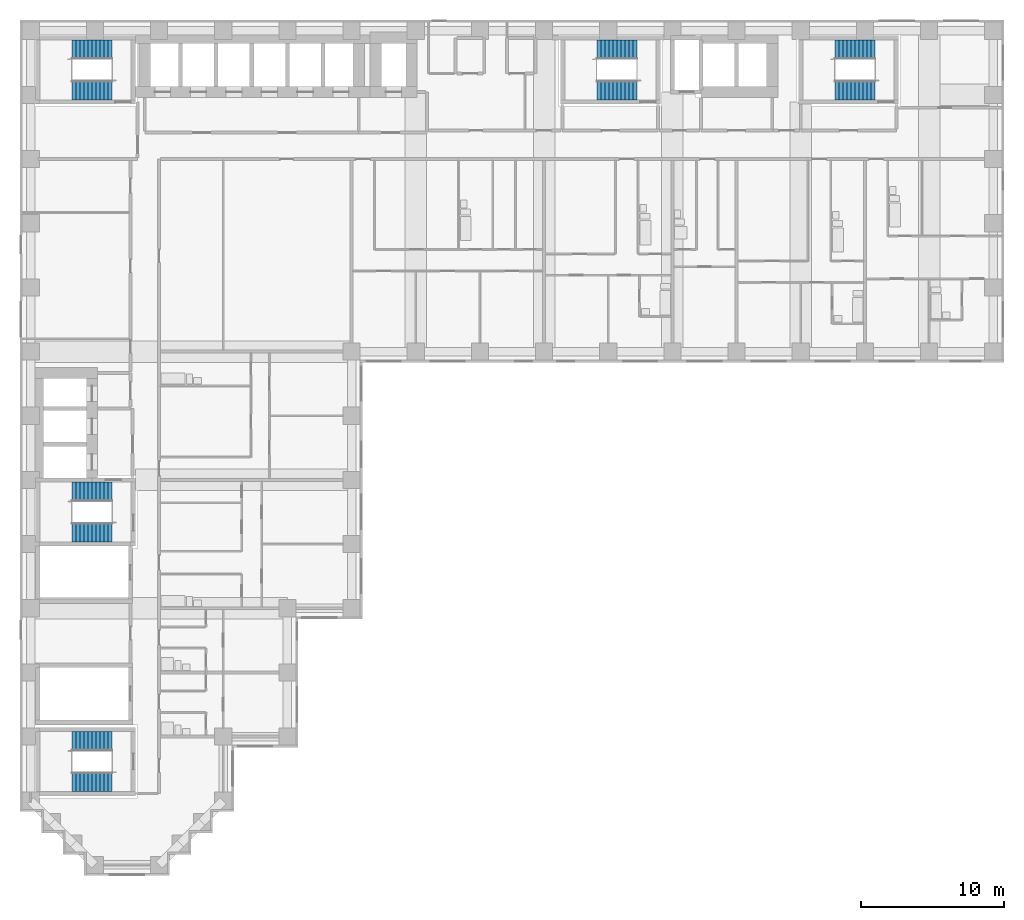
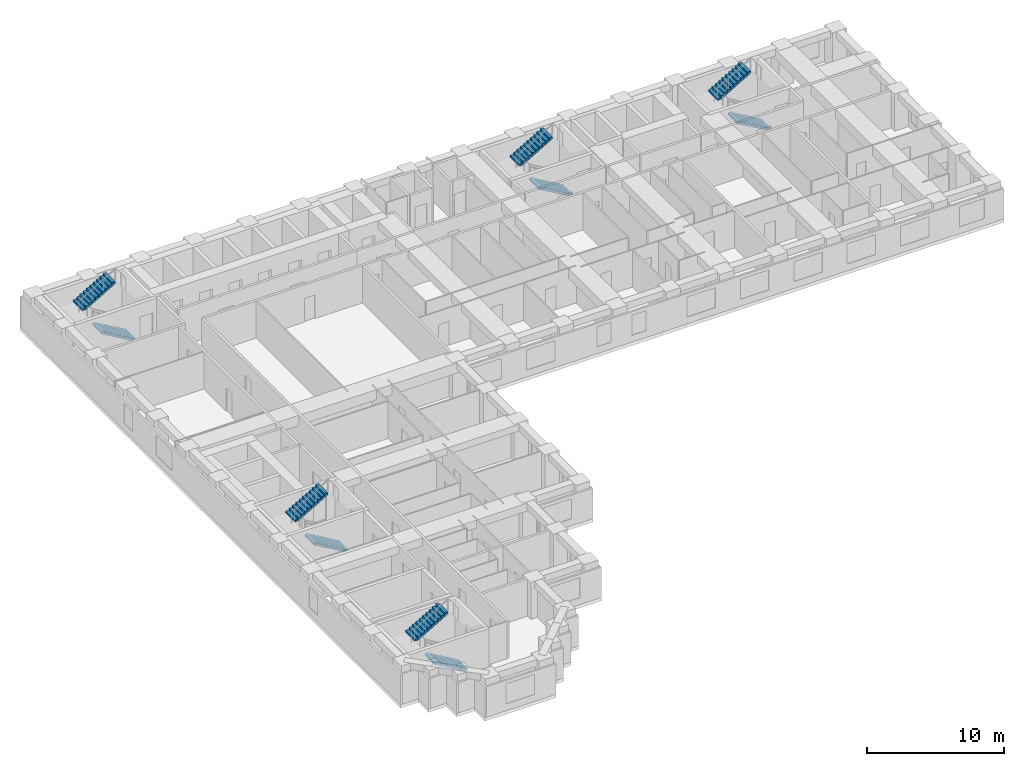
# One storey, part 10 of 12: 10 stair flights, 5 elements without a shape of their own.
"""IFC4 building model written with IfcOpenShell, lengths in metres."""

from ifc_helpers import new_model, si_unit, direction, frame, origin, place, context, subcontext, project, spatial, polyline, outline, extrude, material, type_object, element, aggregate, save


model = new_model("IFC4")

# Units and contexts
model_context = context("Model", 3, precision=1e-05, world=origin(), true_north=direction((0.0, 1.0)))
body_context = subcontext(model_context, "Body", "Model", "MODEL_VIEW")
ifc_project = project(units=[si_unit("LENGTHUNIT", "METRE"), si_unit("AREAUNIT", "SQUARE_METRE"), si_unit("VOLUMEUNIT", "CUBIC_METRE"), si_unit("PLANEANGLEUNIT", "RADIAN"), si_unit("MASSUNIT", "GRAM", prefix="KILO")], contexts=[model_context])

# Site, building, storey
site_placement = place(None, origin())
site = spatial("IfcSite", under=ifc_project, at=site_placement, CompositionType="ELEMENT")
building_placement = place(site_placement, origin())
building = spatial("IfcBuilding", under=site, at=building_placement, Name="Firuza Court", CompositionType="ELEMENT")
storey_placement = place(building_placement, frame((0.0, 0.0, 65.0)))
storey = spatial("IfcBuildingStorey", under=building, at=storey_placement, Name="L15", CompositionType="ELEMENT", Elevation=65.0)

# Stair, stair flights
ifc_material_1 = material(Name="Concrete C40/50 precast", Category="concrete")
stair_type = type_object("IfcStairType", Name="Stair 1350 x 3600 2 flights", PredefinedType="HALF_TURN_STAIR", material=ifc_material_1)
stair_1_placement = place(storey_placement, origin())
stair_1 = element("IfcStair", 1, at=stair_1_placement, inside=storey, type_object=stair_type, Name="Stair 1 L15", PredefinedType="HALF_TURN_STAIR")
ifc_material_2 = material(Name="Concrete C40/50 precast", Category="concrete")
stair_flight_type = type_object("IfcStairFlightType", Name="Flight 1350 riser 163.6", PredefinedType="STRAIGHT", material=ifc_material_2)
stair_flight_1_placement = place(storey_placement, frame((42.5, 54.324951171875, 0.0), z_axis=(0.0, 0.0, 1.0), x_axis=(-1.0, 0.0, 0.0)))
stair_flight_1 = element("IfcStairFlight", 2, at=stair_flight_1_placement, type_object=stair_flight_type, Name="S1 flight 1", NumberOfRisers=11, NumberOfTreads=10, PredefinedType="STRAIGHT", RiserHeight=0.163636364, TreadLength=0.28, context=body_context, shape_type="SweptSolid", body=[
    extrude(outline(polyline([(0.0, 0.0), (0.0, 0.16357421875), (0.280029296875, 0.16357421875), (0.280029296875, 0.327392578125), (0.56005859375, 0.327392578125), (0.56005859375, 0.490966796875), (0.840087890625, 0.490966796875), (0.840087890625, 0.654541015625), (1.1201171875, 0.654541015625), (1.1201171875, 0.818115234375), (1.39990234375, 0.818115234375), (1.39990234375, 0.98193359375), (1.679931640625, 0.98193359375), (1.679931640625, 1.1455078125), (1.9599609375, 1.1455078125), (1.9599609375, 1.30908203125), (2.239990234375, 1.30908203125), (2.239990234375, 1.47265625), (2.52001953125, 1.47265625), (2.52001953125, 1.636474609375), (2.800048828125, 1.636474609375), (2.800048828125, 1.800048828125), (2.800048828125, 1.462646484375), (0.297119140625, 0.0), (0.0, 0.0)])), frame((0.0, 0.675048828125, 0.0), z_axis=(0.0, -1.0, 0.0), x_axis=(1.0, 0.0, 0.0)), (0.0, 0.0, 1.0), 1.35009765625),
])
stair_flight_2_placement = place(storey_placement, frame((39.699951171875, 57.175048828125, 1.800048828125), z_axis=(0.0, 0.0, 1.0), x_axis=(1.0, 0.0, 0.0)))
stair_flight_2 = element("IfcStairFlight", 3, at=stair_flight_2_placement, type_object=stair_flight_type, Name="S1 flight 2", NumberOfRisers=11, NumberOfTreads=10, PredefinedType="STRAIGHT", RiserHeight=0.163636364, TreadLength=0.28, context=body_context, shape_type="SweptSolid", body=[
    extrude(outline(polyline([(0.0, 0.0), (0.0, 0.16357421875), (0.280029296875, 0.16357421875), (0.280029296875, 0.327392578125), (0.56005859375, 0.327392578125), (0.56005859375, 0.490966796875), (0.840087890625, 0.490966796875), (0.840087890625, 0.654541015625), (1.1201171875, 0.654541015625), (1.1201171875, 0.818115234375), (1.39990234375, 0.818115234375), (1.39990234375, 0.98193359375), (1.679931640625, 0.98193359375), (1.679931640625, 1.1455078125), (1.9599609375, 1.1455078125), (1.9599609375, 1.30908203125), (2.239990234375, 1.30908203125), (2.239990234375, 1.47265625), (2.52001953125, 1.47265625), (2.52001953125, 1.636474609375), (2.800048828125, 1.636474609375), (2.800048828125, 1.800048828125), (2.800048828125, 1.462646484375), (0.297119140625, 0.0), (0.0, 0.0)])), frame((0.0, 0.675048828125, 0.0), z_axis=(0.0, -1.0, 0.0), x_axis=(1.0, 0.0, 0.0)), (0.0, 0.0, 1.0), 1.35009765625),
])
aggregate(stair_1, [stair_flight_1, stair_flight_2])

stair_2_placement = place(storey_placement, origin())
stair_2 = element("IfcStair", 4, at=stair_2_placement, inside=storey, type_object=stair_type, Name="Stair 2 L15", PredefinedType="HALF_TURN_STAIR")
stair_flight_3_placement = place(storey_placement, frame((5.699951171875, 23.324951171875, 0.0), z_axis=(0.0, 0.0, 1.0), x_axis=(-1.0, 0.0, 0.0)))
stair_flight_3 = element("IfcStairFlight", 5, at=stair_flight_3_placement, type_object=stair_flight_type, Name="S2 flight 1", NumberOfRisers=11, NumberOfTreads=10, PredefinedType="STRAIGHT", RiserHeight=0.163636364, TreadLength=0.28, context=body_context, shape_type="SweptSolid", body=[
    extrude(outline(polyline([(0.0, 0.0), (0.0, 0.16357421875), (0.280029296875, 0.16357421875), (0.280029296875, 0.327392578125), (0.56005859375, 0.327392578125), (0.56005859375, 0.490966796875), (0.840087890625, 0.490966796875), (0.840087890625, 0.654541015625), (1.1201171875, 0.654541015625), (1.1201171875, 0.818115234375), (1.39990234375, 0.818115234375), (1.39990234375, 0.98193359375), (1.679931640625, 0.98193359375), (1.679931640625, 1.1455078125), (1.9599609375, 1.1455078125), (1.9599609375, 1.30908203125), (2.239990234375, 1.30908203125), (2.239990234375, 1.47265625), (2.52001953125, 1.47265625), (2.52001953125, 1.636474609375), (2.800048828125, 1.636474609375), (2.800048828125, 1.800048828125), (2.800048828125, 1.462646484375), (0.297119140625, 0.0), (0.0, 0.0)])), frame((0.0, 0.675048828125, 0.0), z_axis=(0.0, -1.0, 0.0), x_axis=(1.0, 0.0, 0.0)), (0.0, 0.0, 1.0), 1.35009765625),
])
stair_flight_4_placement = place(storey_placement, frame((2.89990234375, 26.175048828125, 1.800048828125), z_axis=(0.0, 0.0, 1.0), x_axis=(1.0, 0.0, 0.0)))
stair_flight_4 = element("IfcStairFlight", 6, at=stair_flight_4_placement, type_object=stair_flight_type, Name="S2 flight 2", NumberOfRisers=11, NumberOfTreads=10, PredefinedType="STRAIGHT", RiserHeight=0.163636364, TreadLength=0.28, context=body_context, shape_type="SweptSolid", body=[
    extrude(outline(polyline([(0.0, 0.0), (0.0, 0.16357421875), (0.280029296875, 0.16357421875), (0.280029296875, 0.327392578125), (0.56005859375, 0.327392578125), (0.56005859375, 0.490966796875), (0.840087890625, 0.490966796875), (0.840087890625, 0.654541015625), (1.1201171875, 0.654541015625), (1.1201171875, 0.818115234375), (1.39990234375, 0.818115234375), (1.39990234375, 0.98193359375), (1.679931640625, 0.98193359375), (1.679931640625, 1.1455078125), (1.9599609375, 1.1455078125), (1.9599609375, 1.30908203125), (2.239990234375, 1.30908203125), (2.239990234375, 1.47265625), (2.52001953125, 1.47265625), (2.52001953125, 1.636474609375), (2.800048828125, 1.636474609375), (2.800048828125, 1.800048828125), (2.800048828125, 1.462646484375), (0.297119140625, 0.0), (0.0, 0.0)])), frame((0.0, 0.675048828125, 0.0), z_axis=(0.0, -1.0, 0.0), x_axis=(1.0, 0.0, 0.0)), (0.0, 0.0, 1.0), 1.35009765625),
])
aggregate(stair_2, [stair_flight_3, stair_flight_4])

stair_3_placement = place(storey_placement, origin())
stair_3 = element("IfcStair", 7, at=stair_3_placement, inside=storey, type_object=stair_type, Name="Stair 3 L15", PredefinedType="HALF_TURN_STAIR")
stair_flight_5_placement = place(storey_placement, frame((5.699951171875, 54.324951171875, 0.0), z_axis=(0.0, 0.0, 1.0), x_axis=(-1.0, 0.0, 0.0)))
stair_flight_5 = element("IfcStairFlight", 8, at=stair_flight_5_placement, type_object=stair_flight_type, Name="S3 flight 1", NumberOfRisers=11, NumberOfTreads=10, PredefinedType="STRAIGHT", RiserHeight=0.163636364, TreadLength=0.28, context=body_context, shape_type="SweptSolid", body=[
    extrude(outline(polyline([(0.0, 0.0), (0.0, 0.16357421875), (0.280029296875, 0.16357421875), (0.280029296875, 0.327392578125), (0.56005859375, 0.327392578125), (0.56005859375, 0.490966796875), (0.840087890625, 0.490966796875), (0.840087890625, 0.654541015625), (1.1201171875, 0.654541015625), (1.1201171875, 0.818115234375), (1.39990234375, 0.818115234375), (1.39990234375, 0.98193359375), (1.679931640625, 0.98193359375), (1.679931640625, 1.1455078125), (1.9599609375, 1.1455078125), (1.9599609375, 1.30908203125), (2.239990234375, 1.30908203125), (2.239990234375, 1.47265625), (2.52001953125, 1.47265625), (2.52001953125, 1.636474609375), (2.800048828125, 1.636474609375), (2.800048828125, 1.800048828125), (2.800048828125, 1.462646484375), (0.297119140625, 0.0), (0.0, 0.0)])), frame((0.0, 0.675048828125, 0.0), z_axis=(0.0, -1.0, 0.0), x_axis=(1.0, 0.0, 0.0)), (0.0, 0.0, 1.0), 1.35009765625),
])
stair_flight_6_placement = place(storey_placement, frame((2.89990234375, 57.175048828125, 1.800048828125), z_axis=(0.0, 0.0, 1.0), x_axis=(1.0, 0.0, 0.0)))
stair_flight_6 = element("IfcStairFlight", 9, at=stair_flight_6_placement, type_object=stair_flight_type, Name="S3 flight 2", NumberOfRisers=11, NumberOfTreads=10, PredefinedType="STRAIGHT", RiserHeight=0.163636364, TreadLength=0.28, context=body_context, shape_type="SweptSolid", body=[
    extrude(outline(polyline([(0.0, 0.0), (0.0, 0.16357421875), (0.280029296875, 0.16357421875), (0.280029296875, 0.327392578125), (0.56005859375, 0.327392578125), (0.56005859375, 0.490966796875), (0.840087890625, 0.490966796875), (0.840087890625, 0.654541015625), (1.1201171875, 0.654541015625), (1.1201171875, 0.818115234375), (1.39990234375, 0.818115234375), (1.39990234375, 0.98193359375), (1.679931640625, 0.98193359375), (1.679931640625, 1.1455078125), (1.9599609375, 1.1455078125), (1.9599609375, 1.30908203125), (2.239990234375, 1.30908203125), (2.239990234375, 1.47265625), (2.52001953125, 1.47265625), (2.52001953125, 1.636474609375), (2.800048828125, 1.636474609375), (2.800048828125, 1.800048828125), (2.800048828125, 1.462646484375), (0.297119140625, 0.0), (0.0, 0.0)])), frame((0.0, 0.675048828125, 0.0), z_axis=(0.0, -1.0, 0.0), x_axis=(1.0, 0.0, 0.0)), (0.0, 0.0, 1.0), 1.35009765625),
])
aggregate(stair_3, [stair_flight_5, stair_flight_6])

stair_4_placement = place(storey_placement, origin())
stair_4 = element("IfcStair", 10, at=stair_4_placement, inside=storey, type_object=stair_type, Name="Stair 4 L15", PredefinedType="HALF_TURN_STAIR")
stair_flight_7_placement = place(storey_placement, frame((59.199951171875, 54.324951171875, 0.0), z_axis=(0.0, 0.0, 1.0), x_axis=(-1.0, 0.0, 0.0)))
stair_flight_7 = element("IfcStairFlight", 11, at=stair_flight_7_placement, type_object=stair_flight_type, Name="S4 flight 1", NumberOfRisers=11, NumberOfTreads=10, PredefinedType="STRAIGHT", RiserHeight=0.163636364, TreadLength=0.28, context=body_context, shape_type="SweptSolid", body=[
    extrude(outline(polyline([(0.0, 0.0), (0.0, 0.16357421875), (0.280029296875, 0.16357421875), (0.280029296875, 0.327392578125), (0.56005859375, 0.327392578125), (0.56005859375, 0.490966796875), (0.840087890625, 0.490966796875), (0.840087890625, 0.654541015625), (1.1201171875, 0.654541015625), (1.1201171875, 0.818115234375), (1.39990234375, 0.818115234375), (1.39990234375, 0.98193359375), (1.679931640625, 0.98193359375), (1.679931640625, 1.1455078125), (1.9599609375, 1.1455078125), (1.9599609375, 1.30908203125), (2.239990234375, 1.30908203125), (2.239990234375, 1.47265625), (2.52001953125, 1.47265625), (2.52001953125, 1.636474609375), (2.800048828125, 1.636474609375), (2.800048828125, 1.800048828125), (2.800048828125, 1.462646484375), (0.297119140625, 0.0), (0.0, 0.0)])), frame((0.0, 0.675048828125, 0.0), z_axis=(0.0, -1.0, 0.0), x_axis=(1.0, 0.0, 0.0)), (0.0, 0.0, 1.0), 1.35009765625),
])
stair_flight_8_placement = place(storey_placement, frame((56.39990234375, 57.175048828125, 1.800048828125), z_axis=(0.0, 0.0, 1.0), x_axis=(1.0, 0.0, 0.0)))
stair_flight_8 = element("IfcStairFlight", 12, at=stair_flight_8_placement, type_object=stair_flight_type, Name="S4 flight 2", NumberOfRisers=11, NumberOfTreads=10, PredefinedType="STRAIGHT", RiserHeight=0.163636364, TreadLength=0.28, context=body_context, shape_type="SweptSolid", body=[
    extrude(outline(polyline([(0.0, 0.0), (0.0, 0.16357421875), (0.280029296875, 0.16357421875), (0.280029296875, 0.327392578125), (0.56005859375, 0.327392578125), (0.56005859375, 0.490966796875), (0.840087890625, 0.490966796875), (0.840087890625, 0.654541015625), (1.1201171875, 0.654541015625), (1.1201171875, 0.818115234375), (1.39990234375, 0.818115234375), (1.39990234375, 0.98193359375), (1.679931640625, 0.98193359375), (1.679931640625, 1.1455078125), (1.9599609375, 1.1455078125), (1.9599609375, 1.30908203125), (2.239990234375, 1.30908203125), (2.239990234375, 1.47265625), (2.52001953125, 1.47265625), (2.52001953125, 1.636474609375), (2.800048828125, 1.636474609375), (2.800048828125, 1.800048828125), (2.800048828125, 1.462646484375), (0.297119140625, 0.0), (0.0, 0.0)])), frame((0.0, 0.675048828125, 0.0), z_axis=(0.0, -1.0, 0.0), x_axis=(1.0, 0.0, 0.0)), (0.0, 0.0, 1.0), 1.35009765625),
])
aggregate(stair_4, [stair_flight_7, stair_flight_8])

stair_5_placement = place(storey_placement, origin())
stair_5 = element("IfcStair", 13, at=stair_5_placement, inside=storey, type_object=stair_type, Name="Stair 5 L15", PredefinedType="HALF_TURN_STAIR")
stair_flight_9_placement = place(storey_placement, frame((5.699951171875, 5.824951171875, 0.0), z_axis=(0.0, 0.0, 1.0), x_axis=(-1.0, 0.0, 0.0)))
stair_flight_9 = element("IfcStairFlight", 14, at=stair_flight_9_placement, type_object=stair_flight_type, Name="S5 flight 1", NumberOfRisers=11, NumberOfTreads=10, PredefinedType="STRAIGHT", RiserHeight=0.163636364, TreadLength=0.28, context=body_context, shape_type="SweptSolid", body=[
    extrude(outline(polyline([(0.0, 0.0), (0.0, 0.16357421875), (0.280029296875, 0.16357421875), (0.280029296875, 0.327392578125), (0.56005859375, 0.327392578125), (0.56005859375, 0.490966796875), (0.840087890625, 0.490966796875), (0.840087890625, 0.654541015625), (1.1201171875, 0.654541015625), (1.1201171875, 0.818115234375), (1.39990234375, 0.818115234375), (1.39990234375, 0.98193359375), (1.679931640625, 0.98193359375), (1.679931640625, 1.1455078125), (1.9599609375, 1.1455078125), (1.9599609375, 1.30908203125), (2.239990234375, 1.30908203125), (2.239990234375, 1.47265625), (2.52001953125, 1.47265625), (2.52001953125, 1.636474609375), (2.800048828125, 1.636474609375), (2.800048828125, 1.800048828125), (2.800048828125, 1.462646484375), (0.297119140625, 0.0), (0.0, 0.0)])), frame((0.0, 0.675048828125, 0.0), z_axis=(0.0, -1.0, 0.0), x_axis=(1.0, 0.0, 0.0)), (0.0, 0.0, 1.0), 1.35009765625),
])
stair_flight_10_placement = place(storey_placement, frame((2.89990234375, 8.675048828125, 1.800048828125), z_axis=(0.0, 0.0, 1.0), x_axis=(1.0, 0.0, 0.0)))
stair_flight_10 = element("IfcStairFlight", 15, at=stair_flight_10_placement, type_object=stair_flight_type, Name="S5 flight 2", NumberOfRisers=11, NumberOfTreads=10, PredefinedType="STRAIGHT", RiserHeight=0.163636364, TreadLength=0.28, context=body_context, shape_type="SweptSolid", body=[
    extrude(outline(polyline([(0.0, 0.0), (0.0, 0.16357421875), (0.280029296875, 0.16357421875), (0.280029296875, 0.327392578125), (0.56005859375, 0.327392578125), (0.56005859375, 0.490966796875), (0.840087890625, 0.490966796875), (0.840087890625, 0.654541015625), (1.1201171875, 0.654541015625), (1.1201171875, 0.818115234375), (1.39990234375, 0.818115234375), (1.39990234375, 0.98193359375), (1.679931640625, 0.98193359375), (1.679931640625, 1.1455078125), (1.9599609375, 1.1455078125), (1.9599609375, 1.30908203125), (2.239990234375, 1.30908203125), (2.239990234375, 1.47265625), (2.52001953125, 1.47265625), (2.52001953125, 1.636474609375), (2.800048828125, 1.636474609375), (2.800048828125, 1.800048828125), (2.800048828125, 1.462646484375), (0.297119140625, 0.0), (0.0, 0.0)])), frame((0.0, 0.675048828125, 0.0), z_axis=(0.0, -1.0, 0.0), x_axis=(1.0, 0.0, 0.0)), (0.0, 0.0, 1.0), 1.35009765625),
])
aggregate(stair_5, [stair_flight_9, stair_flight_10])

save(model, "model.ifc")
